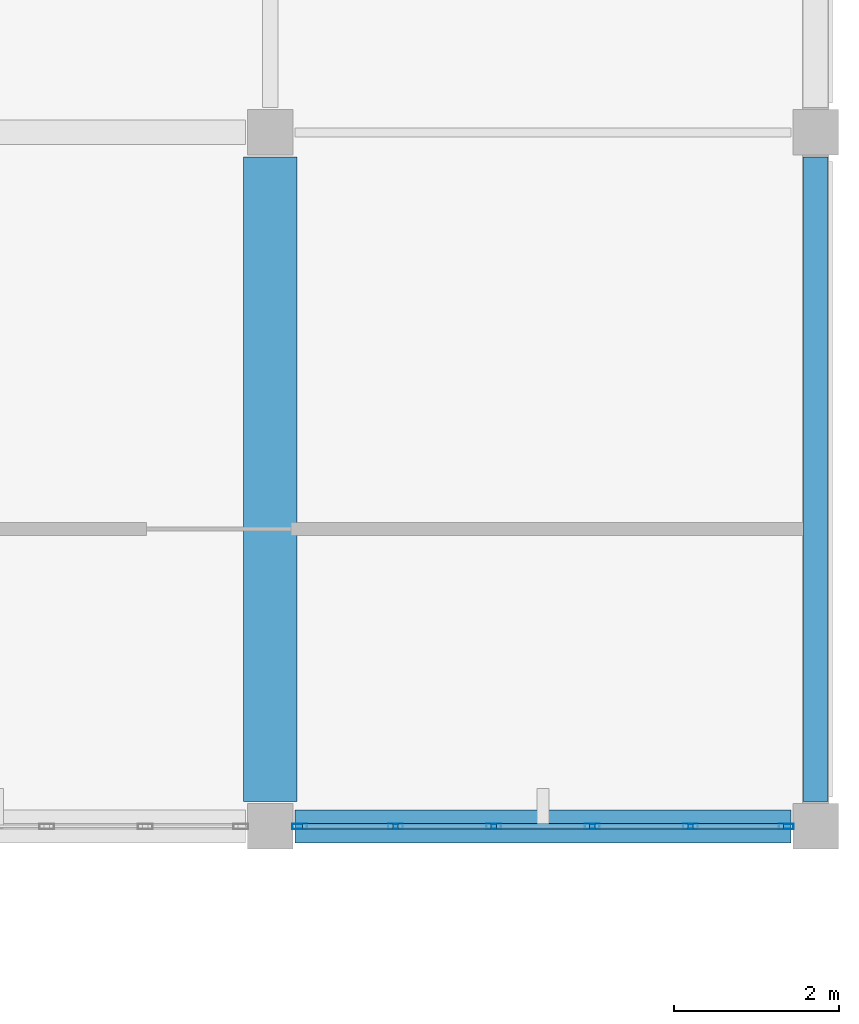
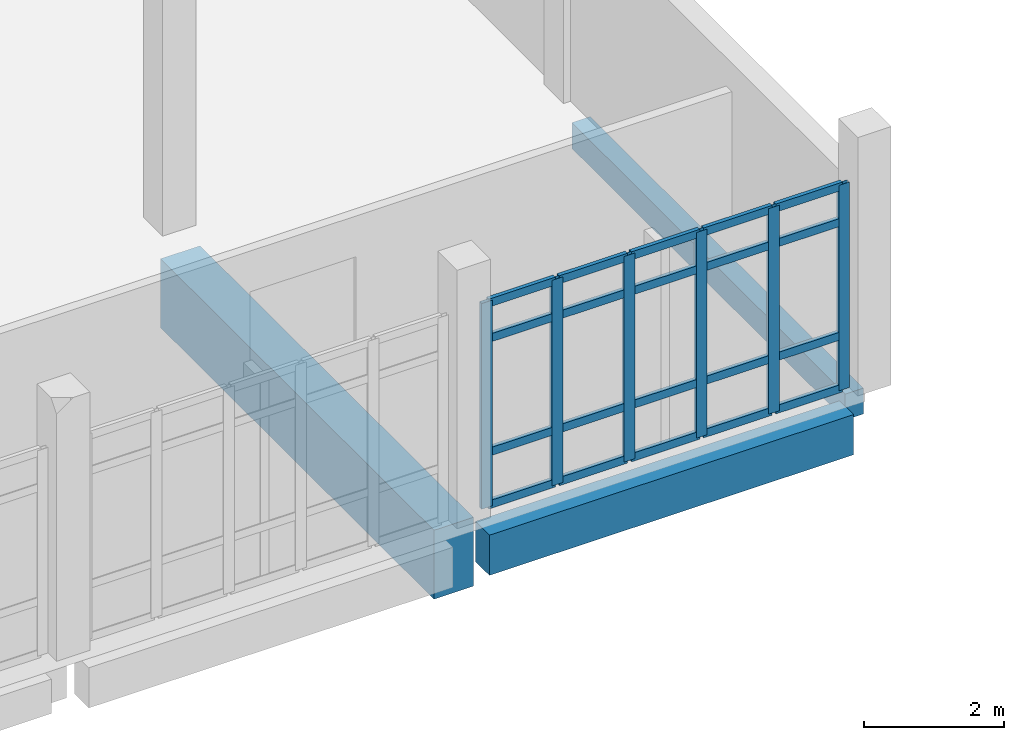
# One storey, part 85 of 134: 26 members, 3 beams, 1 element without a shape of its own.
"""IFC4 building model written with IfcOpenShell, lengths in metres."""

from ifc_helpers import new_model, si_unit, direction, frame, origin, origin_2d, place, context, subcontext, project, spatial, rectangle, hollow_rectangle, extrude, material, material_profile, profile_set, type_object, element, aggregate, save


model = new_model("IFC4")

# Units and contexts
model_context = context("Model", 3, precision=1e-05, world=origin(), true_north=direction((0.0, 1.0)))
body_context = subcontext(model_context, "Body", "Model", "MODEL_VIEW")
ifc_project = project(units=[si_unit("LENGTHUNIT", "METRE"), si_unit("AREAUNIT", "SQUARE_METRE"), si_unit("VOLUMEUNIT", "CUBIC_METRE"), si_unit("PLANEANGLEUNIT", "RADIAN"), si_unit("MASSUNIT", "GRAM", prefix="KILO")], contexts=[model_context])

# Site, building, storey
site_placement = place(None, origin())
site = spatial("IfcSite", under=ifc_project, at=site_placement, CompositionType="ELEMENT")
building_placement = place(site_placement, origin())
building = spatial("IfcBuilding", under=site, at=building_placement, Name="Kalluvel Institute of Natural Sciences", CompositionType="ELEMENT")
storey_placement = place(building_placement, frame((0.0, 0.0, 5.39990234375)))
storey = spatial("IfcBuildingStorey", under=building, at=storey_placement, Name="L01", CompositionType="ELEMENT", Elevation=5.39990234375)

# Beam
ifc_material_1 = material(Name="Concrete M50", Category="concrete")
ifc_material_profile_1 = material_profile(ifc_material_1, rectangle(XDim=0.64990234375, YDim=1.199951171875, at=origin_2d()), Name="RCB 650x1200")
ifc_profile_set_1 = profile_set([ifc_material_profile_1], Name="Concrete M50")
beam_type_1 = type_object("IfcBeamType", Name="BM-RC650x1200", PredefinedType="BEAM", material=ifc_profile_set_1)
beam_1_placement = place(storey_placement, frame((175.39990234375, 103.10009765625, -0.9599609375), z_axis=(0.0, 1.0, 0.0), x_axis=(-1.0, 0.0, 0.0)))
element("IfcBeam", 1, at=beam_1_placement, inside=storey, type_object=beam_type_1, Name="L01 girder GIR-L01-NS-X1754-Y1028", PredefinedType="BEAM", context=body_context, shape_type="SweptSolid", body=[
    extrude(rectangle(XDim=0.64990234375, YDim=1.199951171875, at=origin_2d()), origin(), (0.0, 0.0, 1.0), 7.7998046875),
])

# Curtain wall, members
ifc_material_2 = material(Name="Aluminium AW-6063 T6", Category="aluminium")
curtain_wall_type = type_object("IfcCurtainWallType", Name="CW-CLN-45", PredefinedType="USERDEFINED", material=ifc_material_2)
curtain_wall_placement = place(storey_placement, origin())
curtain_wall = element("IfcCurtainWall", 2, at=curtain_wall_placement, inside=storey, type_object=curtain_wall_type, Name="L01 Gothic lancet curtain wall CWA-L01-X1757-Y1028", ObjectType="UNITISED LANCET FACADE", PredefinedType="USERDEFINED")
ifc_material_profile_2 = material_profile(ifc_material_2, hollow_rectangle(XDim=0.06494140625, YDim=0.179931640625, WallThickness=0.00439453125, at=origin_2d()), Name="CWM 65x180")
ifc_profile_set_2 = profile_set([ifc_material_profile_2], Name="Aluminium AW-6063 T6")
member_type_1 = type_object("IfcMemberType", Name="CWM-65x180", PredefinedType="MULLION", material=ifc_profile_set_2)
member_1_placement = place(storey_placement, frame((175.757568359375, 102.800048828125, 0.0), z_axis=(0.0, 0.0, 1.0), x_axis=(0.0, 1.0, 0.0)))
member_1 = element("IfcMember", 3, at=member_1_placement, type_object=member_type_1, Name="CW-08 mullion 1", PredefinedType="MULLION", context=body_context, shape_type="SweptSolid", body=[
    extrude(hollow_rectangle(XDim=0.06494140625, YDim=0.179931640625, WallThickness=0.00439453125, at=origin_2d()), origin(), (0.0, 0.0, 1.0), 3.580078125),
])
member_2_placement = place(storey_placement, frame((176.9150390625, 102.800048828125, 0.0), z_axis=(0.0, 0.0, 1.0), x_axis=(0.0, 1.0, 0.0)))
member_2 = element("IfcMember", 4, at=member_2_placement, type_object=member_type_1, Name="CW-08 mullion 2", PredefinedType="MULLION", context=body_context, shape_type="SweptSolid", body=[
    extrude(hollow_rectangle(XDim=0.06494140625, YDim=0.179931640625, WallThickness=0.00439453125, at=origin_2d()), origin(), (0.0, 0.0, 1.0), 3.580078125),
])
member_3_placement = place(storey_placement, frame((178.10498046875, 102.800048828125, 0.0), z_axis=(0.0, 0.0, 1.0), x_axis=(0.0, 1.0, 0.0)))
member_3 = element("IfcMember", 5, at=member_3_placement, type_object=member_type_1, Name="CW-08 mullion 3", PredefinedType="MULLION", context=body_context, shape_type="SweptSolid", body=[
    extrude(hollow_rectangle(XDim=0.06494140625, YDim=0.179931640625, WallThickness=0.00439453125, at=origin_2d()), origin(), (0.0, 0.0, 1.0), 3.580078125),
])
member_4_placement = place(storey_placement, frame((179.294921875, 102.800048828125, 0.0), z_axis=(0.0, 0.0, 1.0), x_axis=(0.0, 1.0, 0.0)))
member_4 = element("IfcMember", 6, at=member_4_placement, type_object=member_type_1, Name="CW-08 mullion 4", PredefinedType="MULLION", context=body_context, shape_type="SweptSolid", body=[
    extrude(hollow_rectangle(XDim=0.06494140625, YDim=0.179931640625, WallThickness=0.00439453125, at=origin_2d()), origin(), (0.0, 0.0, 1.0), 3.580078125),
])
member_5_placement = place(storey_placement, frame((180.485107421875, 102.800048828125, 0.0), z_axis=(0.0, 0.0, 1.0), x_axis=(0.0, 1.0, 0.0)))
member_5 = element("IfcMember", 7, at=member_5_placement, type_object=member_type_1, Name="CW-08 mullion 5", PredefinedType="MULLION", context=body_context, shape_type="SweptSolid", body=[
    extrude(hollow_rectangle(XDim=0.06494140625, YDim=0.179931640625, WallThickness=0.00439453125, at=origin_2d()), origin(), (0.0, 0.0, 1.0), 3.580078125),
])
member_6_placement = place(storey_placement, frame((181.642578125, 102.800048828125, 0.0), z_axis=(0.0, 0.0, 1.0), x_axis=(0.0, 1.0, 0.0)))
member_6 = element("IfcMember", 8, at=member_6_placement, type_object=member_type_1, Name="CW-08 mullion 6", PredefinedType="MULLION", context=body_context, shape_type="SweptSolid", body=[
    extrude(hollow_rectangle(XDim=0.06494140625, YDim=0.179931640625, WallThickness=0.00439453125, at=origin_2d()), origin(), (0.0, 0.0, 1.0), 3.580078125),
])
ifc_material_profile_3 = material_profile(ifc_material_2, hollow_rectangle(XDim=0.06494140625, YDim=0.139892578125, WallThickness=0.00439453125, at=origin_2d()), Name="CWT 65x140")
ifc_profile_set_3 = profile_set([ifc_material_profile_3], Name="Aluminium AW-6063 T6")
member_type_2 = type_object("IfcMemberType", Name="CWT-65x140", PredefinedType="USERDEFINED", material=ifc_profile_set_3)
member_7_placement = place(storey_placement, frame((175.7900390625, 102.800048828125, 0.03271484375), z_axis=(1.0, 0.0, 0.0), x_axis=(0.0, 1.0, 0.0)))
member_7 = element("IfcMember", 9, at=member_7_placement, type_object=member_type_2, Name="CW-08 transom 1.1", ObjectType="TRANSOM", PredefinedType="USERDEFINED", context=body_context, shape_type="SweptSolid", body=[
    extrude(hollow_rectangle(XDim=0.06494140625, YDim=0.139892578125, WallThickness=0.00439453125, at=origin_2d()), origin(), (0.0, 0.0, 1.0), 1.092529296875),
])
member_8_placement = place(storey_placement, frame((175.7900390625, 102.800048828125, 0.9501953125), z_axis=(1.0, 0.0, 0.0), x_axis=(0.0, 1.0, 0.0)))
member_8 = element("IfcMember", 10, at=member_8_placement, type_object=member_type_2, Name="CW-08 transom 1.2", ObjectType="TRANSOM", PredefinedType="USERDEFINED", context=body_context, shape_type="SweptSolid", body=[
    extrude(hollow_rectangle(XDim=0.06494140625, YDim=0.139892578125, WallThickness=0.00439453125, at=origin_2d()), origin(), (0.0, 0.0, 1.0), 1.092529296875),
])
member_9_placement = place(storey_placement, frame((175.7900390625, 102.800048828125, 2.93017578125), z_axis=(1.0, 0.0, 0.0), x_axis=(0.0, 1.0, 0.0)))
member_9 = element("IfcMember", 11, at=member_9_placement, type_object=member_type_2, Name="CW-08 transom 1.3", ObjectType="TRANSOM", PredefinedType="USERDEFINED", context=body_context, shape_type="SweptSolid", body=[
    extrude(hollow_rectangle(XDim=0.06494140625, YDim=0.139892578125, WallThickness=0.00439453125, at=origin_2d()), origin(), (0.0, 0.0, 1.0), 1.092529296875),
])
member_10_placement = place(storey_placement, frame((175.7900390625, 102.800048828125, 3.547607421875), z_axis=(1.0, 0.0, 0.0), x_axis=(0.0, 1.0, 0.0)))
member_10 = element("IfcMember", 12, at=member_10_placement, type_object=member_type_2, Name="CW-08 transom 1.4", ObjectType="TRANSOM", PredefinedType="USERDEFINED", context=body_context, shape_type="SweptSolid", body=[
    extrude(hollow_rectangle(XDim=0.06494140625, YDim=0.139892578125, WallThickness=0.00439453125, at=origin_2d()), origin(), (0.0, 0.0, 1.0), 1.092529296875),
])
member_11_placement = place(storey_placement, frame((176.947509765625, 102.800048828125, 0.03271484375), z_axis=(1.0, 0.0, 0.0), x_axis=(0.0, 1.0, 0.0)))
member_11 = element("IfcMember", 13, at=member_11_placement, type_object=member_type_2, Name="CW-08 transom 2.1", ObjectType="TRANSOM", PredefinedType="USERDEFINED", context=body_context, shape_type="SweptSolid", body=[
    extrude(hollow_rectangle(XDim=0.06494140625, YDim=0.139892578125, WallThickness=0.00439453125, at=origin_2d()), origin(), (0.0, 0.0, 1.0), 1.125),
])
member_12_placement = place(storey_placement, frame((176.947509765625, 102.800048828125, 0.9501953125), z_axis=(1.0, 0.0, 0.0), x_axis=(0.0, 1.0, 0.0)))
member_12 = element("IfcMember", 14, at=member_12_placement, type_object=member_type_2, Name="CW-08 transom 2.2", ObjectType="TRANSOM", PredefinedType="USERDEFINED", context=body_context, shape_type="SweptSolid", body=[
    extrude(hollow_rectangle(XDim=0.06494140625, YDim=0.139892578125, WallThickness=0.00439453125, at=origin_2d()), origin(), (0.0, 0.0, 1.0), 1.125),
])
member_13_placement = place(storey_placement, frame((176.947509765625, 102.800048828125, 2.93017578125), z_axis=(1.0, 0.0, 0.0), x_axis=(0.0, 1.0, 0.0)))
member_13 = element("IfcMember", 15, at=member_13_placement, type_object=member_type_2, Name="CW-08 transom 2.3", ObjectType="TRANSOM", PredefinedType="USERDEFINED", context=body_context, shape_type="SweptSolid", body=[
    extrude(hollow_rectangle(XDim=0.06494140625, YDim=0.139892578125, WallThickness=0.00439453125, at=origin_2d()), origin(), (0.0, 0.0, 1.0), 1.125),
])
member_14_placement = place(storey_placement, frame((176.947509765625, 102.800048828125, 3.547607421875), z_axis=(1.0, 0.0, 0.0), x_axis=(0.0, 1.0, 0.0)))
member_14 = element("IfcMember", 16, at=member_14_placement, type_object=member_type_2, Name="CW-08 transom 2.4", ObjectType="TRANSOM", PredefinedType="USERDEFINED", context=body_context, shape_type="SweptSolid", body=[
    extrude(hollow_rectangle(XDim=0.06494140625, YDim=0.139892578125, WallThickness=0.00439453125, at=origin_2d()), origin(), (0.0, 0.0, 1.0), 1.125),
])
member_15_placement = place(storey_placement, frame((178.137451171875, 102.800048828125, 0.03271484375), z_axis=(1.0, 0.0, 0.0), x_axis=(0.0, 1.0, 0.0)))
member_15 = element("IfcMember", 17, at=member_15_placement, type_object=member_type_2, Name="CW-08 transom 3.1", ObjectType="TRANSOM", PredefinedType="USERDEFINED", context=body_context, shape_type="SweptSolid", body=[
    extrude(hollow_rectangle(XDim=0.06494140625, YDim=0.139892578125, WallThickness=0.00439453125, at=origin_2d()), origin(), (0.0, 0.0, 1.0), 1.125),
])
member_16_placement = place(storey_placement, frame((178.137451171875, 102.800048828125, 0.9501953125), z_axis=(1.0, 0.0, 0.0), x_axis=(0.0, 1.0, 0.0)))
member_16 = element("IfcMember", 18, at=member_16_placement, type_object=member_type_2, Name="CW-08 transom 3.2", ObjectType="TRANSOM", PredefinedType="USERDEFINED", context=body_context, shape_type="SweptSolid", body=[
    extrude(hollow_rectangle(XDim=0.06494140625, YDim=0.139892578125, WallThickness=0.00439453125, at=origin_2d()), origin(), (0.0, 0.0, 1.0), 1.125),
])
member_17_placement = place(storey_placement, frame((178.137451171875, 102.800048828125, 2.93017578125), z_axis=(1.0, 0.0, 0.0), x_axis=(0.0, 1.0, 0.0)))
member_17 = element("IfcMember", 19, at=member_17_placement, type_object=member_type_2, Name="CW-08 transom 3.3", ObjectType="TRANSOM", PredefinedType="USERDEFINED", context=body_context, shape_type="SweptSolid", body=[
    extrude(hollow_rectangle(XDim=0.06494140625, YDim=0.139892578125, WallThickness=0.00439453125, at=origin_2d()), origin(), (0.0, 0.0, 1.0), 1.125),
])
member_18_placement = place(storey_placement, frame((178.137451171875, 102.800048828125, 3.547607421875), z_axis=(1.0, 0.0, 0.0), x_axis=(0.0, 1.0, 0.0)))
member_18 = element("IfcMember", 20, at=member_18_placement, type_object=member_type_2, Name="CW-08 transom 3.4", ObjectType="TRANSOM", PredefinedType="USERDEFINED", context=body_context, shape_type="SweptSolid", body=[
    extrude(hollow_rectangle(XDim=0.06494140625, YDim=0.139892578125, WallThickness=0.00439453125, at=origin_2d()), origin(), (0.0, 0.0, 1.0), 1.125),
])
member_19_placement = place(storey_placement, frame((179.327392578125, 102.800048828125, 0.03271484375), z_axis=(1.0, 0.0, 0.0), x_axis=(0.0, 1.0, 0.0)))
member_19 = element("IfcMember", 21, at=member_19_placement, type_object=member_type_2, Name="CW-08 transom 4.1", ObjectType="TRANSOM", PredefinedType="USERDEFINED", context=body_context, shape_type="SweptSolid", body=[
    extrude(hollow_rectangle(XDim=0.06494140625, YDim=0.139892578125, WallThickness=0.00439453125, at=origin_2d()), origin(), (0.0, 0.0, 1.0), 1.125),
])
member_20_placement = place(storey_placement, frame((179.327392578125, 102.800048828125, 0.9501953125), z_axis=(1.0, 0.0, 0.0), x_axis=(0.0, 1.0, 0.0)))
member_20 = element("IfcMember", 22, at=member_20_placement, type_object=member_type_2, Name="CW-08 transom 4.2", ObjectType="TRANSOM", PredefinedType="USERDEFINED", context=body_context, shape_type="SweptSolid", body=[
    extrude(hollow_rectangle(XDim=0.06494140625, YDim=0.139892578125, WallThickness=0.00439453125, at=origin_2d()), origin(), (0.0, 0.0, 1.0), 1.125),
])
member_21_placement = place(storey_placement, frame((179.327392578125, 102.800048828125, 2.93017578125), z_axis=(1.0, 0.0, 0.0), x_axis=(0.0, 1.0, 0.0)))
member_21 = element("IfcMember", 23, at=member_21_placement, type_object=member_type_2, Name="CW-08 transom 4.3", ObjectType="TRANSOM", PredefinedType="USERDEFINED", context=body_context, shape_type="SweptSolid", body=[
    extrude(hollow_rectangle(XDim=0.06494140625, YDim=0.139892578125, WallThickness=0.00439453125, at=origin_2d()), origin(), (0.0, 0.0, 1.0), 1.125),
])
member_22_placement = place(storey_placement, frame((179.327392578125, 102.800048828125, 3.547607421875), z_axis=(1.0, 0.0, 0.0), x_axis=(0.0, 1.0, 0.0)))
member_22 = element("IfcMember", 24, at=member_22_placement, type_object=member_type_2, Name="CW-08 transom 4.4", ObjectType="TRANSOM", PredefinedType="USERDEFINED", context=body_context, shape_type="SweptSolid", body=[
    extrude(hollow_rectangle(XDim=0.06494140625, YDim=0.139892578125, WallThickness=0.00439453125, at=origin_2d()), origin(), (0.0, 0.0, 1.0), 1.125),
])
member_23_placement = place(storey_placement, frame((180.517578125, 102.800048828125, 0.03271484375), z_axis=(1.0, 0.0, 0.0), x_axis=(0.0, 1.0, 0.0)))
member_23 = element("IfcMember", 25, at=member_23_placement, type_object=member_type_2, Name="CW-08 transom 5.1", ObjectType="TRANSOM", PredefinedType="USERDEFINED", context=body_context, shape_type="SweptSolid", body=[
    extrude(hollow_rectangle(XDim=0.06494140625, YDim=0.139892578125, WallThickness=0.00439453125, at=origin_2d()), origin(), (0.0, 0.0, 1.0), 1.092529296875),
])
member_24_placement = place(storey_placement, frame((180.517578125, 102.800048828125, 0.9501953125), z_axis=(1.0, 0.0, 0.0), x_axis=(0.0, 1.0, 0.0)))
member_24 = element("IfcMember", 26, at=member_24_placement, type_object=member_type_2, Name="CW-08 transom 5.2", ObjectType="TRANSOM", PredefinedType="USERDEFINED", context=body_context, shape_type="SweptSolid", body=[
    extrude(hollow_rectangle(XDim=0.06494140625, YDim=0.139892578125, WallThickness=0.00439453125, at=origin_2d()), origin(), (0.0, 0.0, 1.0), 1.092529296875),
])
member_25_placement = place(storey_placement, frame((180.517578125, 102.800048828125, 2.93017578125), z_axis=(1.0, 0.0, 0.0), x_axis=(0.0, 1.0, 0.0)))
member_25 = element("IfcMember", 27, at=member_25_placement, type_object=member_type_2, Name="CW-08 transom 5.3", ObjectType="TRANSOM", PredefinedType="USERDEFINED", context=body_context, shape_type="SweptSolid", body=[
    extrude(hollow_rectangle(XDim=0.06494140625, YDim=0.139892578125, WallThickness=0.00439453125, at=origin_2d()), origin(), (0.0, 0.0, 1.0), 1.092529296875),
])
member_26_placement = place(storey_placement, frame((180.517578125, 102.800048828125, 3.547607421875), z_axis=(1.0, 0.0, 0.0), x_axis=(0.0, 1.0, 0.0)))
member_26 = element("IfcMember", 28, at=member_26_placement, type_object=member_type_2, Name="CW-08 transom 5.4", ObjectType="TRANSOM", PredefinedType="USERDEFINED", context=body_context, shape_type="SweptSolid", body=[
    extrude(hollow_rectangle(XDim=0.06494140625, YDim=0.139892578125, WallThickness=0.00439453125, at=origin_2d()), origin(), (0.0, 0.0, 1.0), 1.092529296875),
])
aggregate(curtain_wall, [member_1, member_2, member_3, member_4, member_5, member_6, member_7, member_8, member_9, member_10, member_11, member_12, member_13, member_14, member_15, member_16, member_17, member_18, member_19, member_20, member_21, member_22, member_23, member_24, member_25, member_26])

# Beams
ifc_material_3 = material(Name="Concrete M40", Category="concrete")
ifc_material_profile_4 = material_profile(ifc_material_3, rectangle(XDim=0.300048828125, YDim=0.449951171875, at=origin_2d()), Name="RCB 300x450")
ifc_profile_set_4 = profile_set([ifc_material_profile_4], Name="Concrete M40")
beam_type_2 = type_object("IfcBeamType", Name="SP-RC300x450", PredefinedType="SPANDREL", material=ifc_profile_set_4)
beam_2_placement = place(storey_placement, frame((182.0, 103.10009765625, -0.5849609375), z_axis=(0.0, 1.0, 0.0), x_axis=(-1.0, 0.0, 0.0)))
element("IfcBeam", 29, at=beam_2_placement, inside=storey, type_object=beam_type_2, Name="L01 girder GIR-L01-NS-X1820-Y1028", PredefinedType="SPANDREL", context=body_context, shape_type="SweptSolid", body=[
    extrude(rectangle(XDim=0.300048828125, YDim=0.449951171875, at=origin_2d()), origin(), (0.0, 0.0, 1.0), 7.7998046875),
])
ifc_material_profile_5 = material_profile(ifc_material_3, rectangle(XDim=0.39990234375, YDim=0.699951171875, at=origin_2d()), Name="RCB 400x700")
ifc_profile_set_5 = profile_set([ifc_material_profile_5], Name="Concrete M40")
beam_type_3 = type_object("IfcBeamType", Name="SP-RC400x700", PredefinedType="SPANDREL", material=ifc_profile_set_5)
beam_3_placement = place(storey_placement, frame((175.699951171875, 102.800048828125, -0.7099609375), z_axis=(1.0, 0.0, 0.0), x_axis=(0.0, 1.0, 0.0)))
element("IfcBeam", 30, at=beam_3_placement, inside=storey, type_object=beam_type_3, Name="L01 girder GIR-L01-EW-X1754-Y1028", PredefinedType="SPANDREL", context=body_context, shape_type="SweptSolid", body=[
    extrude(rectangle(XDim=0.39990234375, YDim=0.699951171875, at=origin_2d()), origin(), (0.0, 0.0, 1.0), 6.0),
])

save(model, "model.ifc")
